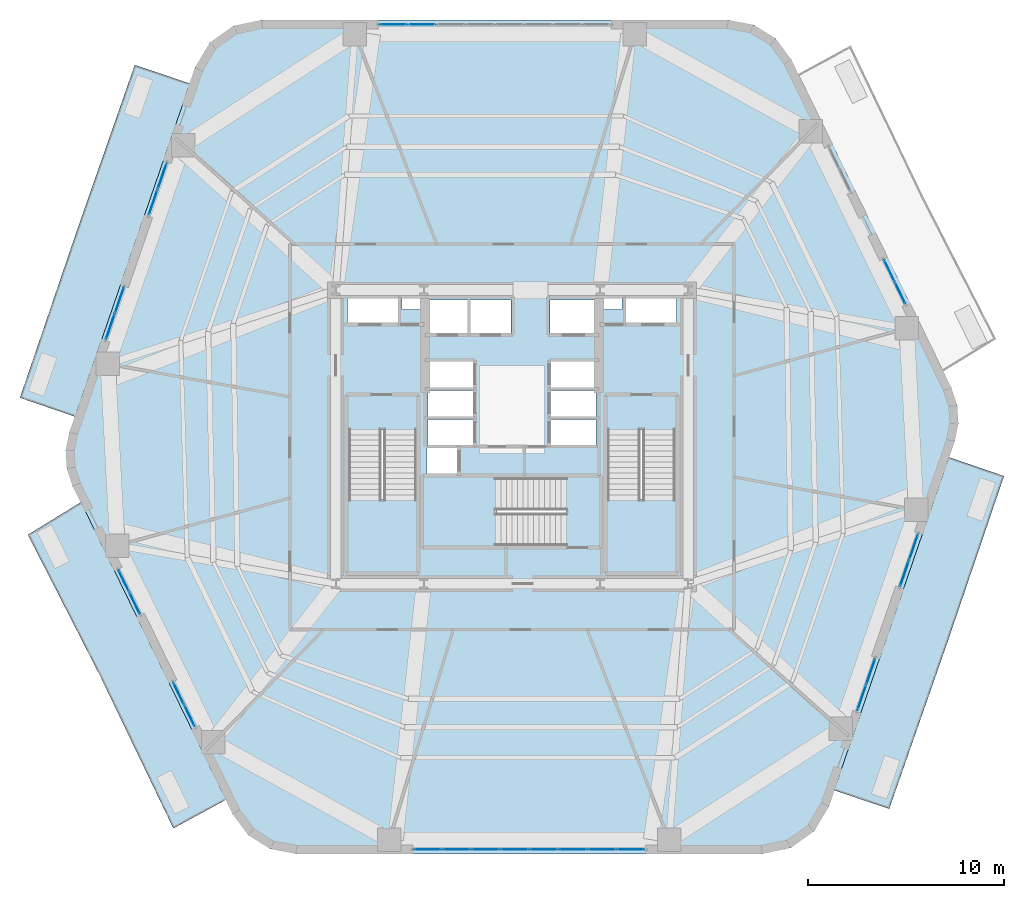
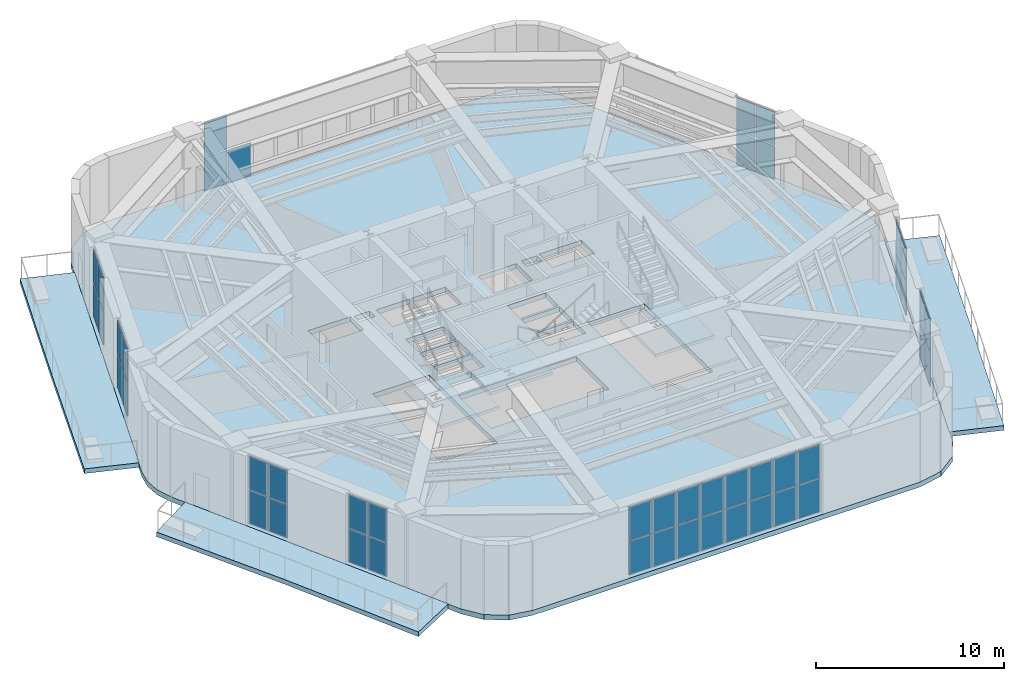
# One storey, part 15 of 22: 47 plates, 7 slabs, 12 elements without a shape of their own.
"""IFC4 building model written with IfcOpenShell, lengths in metres."""

from ifc_helpers import new_model, si_unit, direction, frame, origin, origin_2d, place, context, subcontext, project, spatial, polyline, rectangle, outline, extrude, material, layer, layer_set, type_object, element, aggregate, save


model = new_model("IFC4")

# Units and contexts
model_context = context("Model", 3, precision=1e-05, world=origin(), true_north=direction((0.0, 1.0)))
body_context = subcontext(model_context, "Body", "Model", "MODEL_VIEW")
ifc_project = project(units=[si_unit("LENGTHUNIT", "METRE"), si_unit("AREAUNIT", "SQUARE_METRE"), si_unit("VOLUMEUNIT", "CUBIC_METRE"), si_unit("PLANEANGLEUNIT", "RADIAN"), si_unit("MASSUNIT", "GRAM", prefix="KILO")], contexts=[model_context])

# Site, building, storey
site_placement = place(None, origin())
site = spatial("IfcSite", under=ifc_project, at=site_placement, CompositionType="ELEMENT")
building_placement = place(site_placement, origin())
building = spatial("IfcBuilding", under=site, at=building_placement, Name="Kilnhurst Terrace Hotel", CompositionType="ELEMENT")
storey_placement = place(building_placement, frame((0.0, 0.0, 139.5)))
storey = spatial("IfcBuildingStorey", under=building, at=storey_placement, Name="L34", CompositionType="ELEMENT", Elevation=139.5)

# Curtain wall, plates
ifc_material_1 = material(Name="Anodized Aluminium Alloy 6063-T6 and Low-E Glass", Category="aluminium")
ifc_layer_1 = layer(ifc_material_1, 0.219970703125, Name="Anodized Aluminium Alloy 6063-T6 and Low-E Glass")
ifc_layer_set_1 = layer_set([ifc_layer_1], Name="Anodized Aluminium Alloy 6063-T6 and Low-E Glass")
curtain_wall_type = type_object("IfcCurtainWallType", Name="CW-SKY-L34", PredefinedType="NOTDEFINED", material=ifc_layer_set_1)
curtain_wall_1_placement = place(storey_placement, origin())
curtain_wall_1 = element("IfcCurtainWall", 1, at=curtain_wall_1_placement, inside=storey, type_object=curtain_wall_type, Name="L34 Curtain Wall CW-L34-F1-1", PredefinedType="NOTDEFINED")
ifc_material_2 = material(Name="Triple Laminated Low-E Hurricane Insulated Glass", Category="glass")
ifc_layer_2 = layer(ifc_material_2, 0.035888671875, Name="Triple Laminated Low-E Hurricane Insulated Glass")
ifc_layer_set_2 = layer_set([ifc_layer_2], Name="Triple Laminated Low-E Hurricane Insulated Glass")
plate_type = type_object("IfcPlateType", Name="PNL-GLZ-36", PredefinedType="CURTAIN_PANEL", material=ifc_layer_set_2)
plate_1_placement = place(storey_placement, frame((-4.303955078125, -21.074951171875, 0.070068359375), z_axis=(0.0, 0.0, 1.0), x_axis=(1.0, 0.0, 0.0)))
plate_1 = element("IfcPlate", 2, at=plate_1_placement, type_object=plate_type, Name="CWS-3 panel 1.1", PredefinedType="CURTAIN_PANEL", context=body_context, shape_type="SweptSolid", body=[
    extrude(rectangle(XDim=1.373779296875, YDim=0.035888671875, at=origin_2d()), origin(), (0.0, 0.0, 1.0), 2.14501953125),
])
plate_2_placement = place(storey_placement, frame((-4.303955078125, -21.074951171875, 2.284912109375), z_axis=(0.0, 0.0, 1.0), x_axis=(1.0, 0.0, 0.0)))
plate_2 = element("IfcPlate", 3, at=plate_2_placement, type_object=plate_type, Name="CWS-3 panel 1.2", PredefinedType="CURTAIN_PANEL", context=body_context, shape_type="SweptSolid", body=[
    extrude(rectangle(XDim=1.373779296875, YDim=0.035888671875, at=origin_2d()), origin(), (0.0, 0.0, 1.0), 2.14501953125),
])
plate_3_placement = place(storey_placement, frame((-2.83642578125, -21.074951171875, 0.070068359375), z_axis=(0.0, 0.0, 1.0), x_axis=(1.0, 0.0, 0.0)))
plate_3 = element("IfcPlate", 4, at=plate_3_placement, type_object=plate_type, Name="CWS-3 panel 2.1", PredefinedType="CURTAIN_PANEL", context=body_context, shape_type="SweptSolid", body=[
    extrude(rectangle(XDim=1.411376953125, YDim=0.035888671875, at=origin_2d()), origin(), (0.0, 0.0, 1.0), 2.14501953125),
])
plate_4_placement = place(storey_placement, frame((-2.83642578125, -21.074951171875, 2.284912109375), z_axis=(0.0, 0.0, 1.0), x_axis=(1.0, 0.0, 0.0)))
plate_4 = element("IfcPlate", 5, at=plate_4_placement, type_object=plate_type, Name="CWS-3 panel 2.2", PredefinedType="CURTAIN_PANEL", context=body_context, shape_type="SweptSolid", body=[
    extrude(rectangle(XDim=1.411376953125, YDim=0.035888671875, at=origin_2d()), origin(), (0.0, 0.0, 1.0), 2.14501953125),
])
plate_5_placement = place(storey_placement, frame((-1.35009765625, -21.074951171875, 0.070068359375), z_axis=(0.0, 0.0, 1.0), x_axis=(1.0, 0.0, 0.0)))
plate_5 = element("IfcPlate", 6, at=plate_5_placement, type_object=plate_type, Name="CWS-3 panel 3.1", PredefinedType="CURTAIN_PANEL", context=body_context, shape_type="SweptSolid", body=[
    extrude(rectangle(XDim=1.411376953125, YDim=0.035888671875, at=origin_2d()), origin(), (0.0, 0.0, 1.0), 2.14501953125),
])
plate_6_placement = place(storey_placement, frame((-1.35009765625, -21.074951171875, 2.284912109375), z_axis=(0.0, 0.0, 1.0), x_axis=(1.0, 0.0, 0.0)))
plate_6 = element("IfcPlate", 7, at=plate_6_placement, type_object=plate_type, Name="CWS-3 panel 3.2", PredefinedType="CURTAIN_PANEL", context=body_context, shape_type="SweptSolid", body=[
    extrude(rectangle(XDim=1.411376953125, YDim=0.035888671875, at=origin_2d()), origin(), (0.0, 0.0, 1.0), 2.14501953125),
])
plate_7_placement = place(storey_placement, frame((0.13623046875, -21.074951171875, 0.070068359375), z_axis=(0.0, 0.0, 1.0), x_axis=(1.0, 0.0, 0.0)))
plate_7 = element("IfcPlate", 8, at=plate_7_placement, type_object=plate_type, Name="CWS-3 panel 4.1", PredefinedType="CURTAIN_PANEL", context=body_context, shape_type="SweptSolid", body=[
    extrude(rectangle(XDim=1.411376953125, YDim=0.035888671875, at=origin_2d()), origin(), (0.0, 0.0, 1.0), 2.14501953125),
])
plate_8_placement = place(storey_placement, frame((0.13623046875, -21.074951171875, 2.284912109375), z_axis=(0.0, 0.0, 1.0), x_axis=(1.0, 0.0, 0.0)))
plate_8 = element("IfcPlate", 9, at=plate_8_placement, type_object=plate_type, Name="CWS-3 panel 4.2", PredefinedType="CURTAIN_PANEL", context=body_context, shape_type="SweptSolid", body=[
    extrude(rectangle(XDim=1.411376953125, YDim=0.035888671875, at=origin_2d()), origin(), (0.0, 0.0, 1.0), 2.14501953125),
])
plate_9_placement = place(storey_placement, frame((1.622802734375, -21.074951171875, 0.070068359375), z_axis=(0.0, 0.0, 1.0), x_axis=(1.0, 0.0, 0.0)))
plate_9 = element("IfcPlate", 10, at=plate_9_placement, type_object=plate_type, Name="CWS-3 panel 5.1", PredefinedType="CURTAIN_PANEL", context=body_context, shape_type="SweptSolid", body=[
    extrude(rectangle(XDim=1.411376953125, YDim=0.035888671875, at=origin_2d()), origin(), (0.0, 0.0, 1.0), 2.14501953125),
])
plate_10_placement = place(storey_placement, frame((1.622802734375, -21.074951171875, 2.284912109375), z_axis=(0.0, 0.0, 1.0), x_axis=(1.0, 0.0, 0.0)))
plate_10 = element("IfcPlate", 11, at=plate_10_placement, type_object=plate_type, Name="CWS-3 panel 5.2", PredefinedType="CURTAIN_PANEL", context=body_context, shape_type="SweptSolid", body=[
    extrude(rectangle(XDim=1.411376953125, YDim=0.035888671875, at=origin_2d()), origin(), (0.0, 0.0, 1.0), 2.14501953125),
])
plate_11_placement = place(storey_placement, frame((3.109130859375, -21.074951171875, 0.070068359375), z_axis=(0.0, 0.0, 1.0), x_axis=(1.0, 0.0, 0.0)))
plate_11 = element("IfcPlate", 12, at=plate_11_placement, type_object=plate_type, Name="CWS-3 panel 6.1", PredefinedType="CURTAIN_PANEL", context=body_context, shape_type="SweptSolid", body=[
    extrude(rectangle(XDim=1.411376953125, YDim=0.035888671875, at=origin_2d()), origin(), (0.0, 0.0, 1.0), 2.14501953125),
])
plate_12_placement = place(storey_placement, frame((3.109130859375, -21.074951171875, 2.284912109375), z_axis=(0.0, 0.0, 1.0), x_axis=(1.0, 0.0, 0.0)))
plate_12 = element("IfcPlate", 13, at=plate_12_placement, type_object=plate_type, Name="CWS-3 panel 6.2", PredefinedType="CURTAIN_PANEL", context=body_context, shape_type="SweptSolid", body=[
    extrude(rectangle(XDim=1.411376953125, YDim=0.035888671875, at=origin_2d()), origin(), (0.0, 0.0, 1.0), 2.14501953125),
])
plate_13_placement = place(storey_placement, frame((4.595458984375, -21.074951171875, 0.070068359375), z_axis=(0.0, 0.0, 1.0), x_axis=(1.0, 0.0, 0.0)))
plate_13 = element("IfcPlate", 14, at=plate_13_placement, type_object=plate_type, Name="CWS-3 panel 7.1", PredefinedType="CURTAIN_PANEL", context=body_context, shape_type="SweptSolid", body=[
    extrude(rectangle(XDim=1.411376953125, YDim=0.035888671875, at=origin_2d()), origin(), (0.0, 0.0, 1.0), 2.14501953125),
])
plate_14_placement = place(storey_placement, frame((4.595458984375, -21.074951171875, 2.284912109375), z_axis=(0.0, 0.0, 1.0), x_axis=(1.0, 0.0, 0.0)))
plate_14 = element("IfcPlate", 15, at=plate_14_placement, type_object=plate_type, Name="CWS-3 panel 7.2", PredefinedType="CURTAIN_PANEL", context=body_context, shape_type="SweptSolid", body=[
    extrude(rectangle(XDim=1.411376953125, YDim=0.035888671875, at=origin_2d()), origin(), (0.0, 0.0, 1.0), 2.14501953125),
])
plate_15_placement = place(storey_placement, frame((6.06298828125, -21.074951171875, 0.070068359375), z_axis=(0.0, 0.0, 1.0), x_axis=(1.0, 0.0, 0.0)))
plate_15 = element("IfcPlate", 16, at=plate_15_placement, type_object=plate_type, Name="CWS-3 panel 8.1", PredefinedType="CURTAIN_PANEL", context=body_context, shape_type="SweptSolid", body=[
    extrude(rectangle(XDim=1.373779296875, YDim=0.035888671875, at=origin_2d()), origin(), (0.0, 0.0, 1.0), 2.14501953125),
])
plate_16_placement = place(storey_placement, frame((6.06298828125, -21.074951171875, 2.284912109375), z_axis=(0.0, 0.0, 1.0), x_axis=(1.0, 0.0, 0.0)))
plate_16 = element("IfcPlate", 17, at=plate_16_placement, type_object=plate_type, Name="CWS-3 panel 8.2", PredefinedType="CURTAIN_PANEL", context=body_context, shape_type="SweptSolid", body=[
    extrude(rectangle(XDim=1.373779296875, YDim=0.035888671875, at=origin_2d()), origin(), (0.0, 0.0, 1.0), 2.14501953125),
])
aggregate(curtain_wall_1, [plate_1, plate_2, plate_3, plate_4, plate_5, plate_6, plate_7, plate_8, plate_9, plate_10, plate_11, plate_12, plate_13, plate_14, plate_15, plate_16])

curtain_wall_2_placement = place(storey_placement, origin())
curtain_wall_2 = element("IfcCurtainWall", 18, at=curtain_wall_2_placement, inside=storey, type_object=curtain_wall_type, Name="L34 Curtain Wall CW-L34-F2-1", PredefinedType="NOTDEFINED")
plate_17_placement = place(storey_placement, frame((17.86962890625, -13.326171875, 0.070068359375), z_axis=(0.0, 0.0, 1.0), x_axis=(0.32558742924, 0.94551193854, 0.0)))
plate_17 = element("IfcPlate", 19, at=plate_17_placement, type_object=plate_type, Name="CWS-3 panel 1.1", PredefinedType="CURTAIN_PANEL", context=body_context, shape_type="SweptSolid", body=[
    extrude(rectangle(XDim=1.343505859375, YDim=0.035888671875, at=origin_2d()), origin(), (0.0, 0.0, 1.0), 2.14501953125),
])
plate_18_placement = place(storey_placement, frame((17.86962890625, -13.326171875, 2.284912109375), z_axis=(0.0, 0.0, 1.0), x_axis=(0.32558742924, 0.94551193854, 0.0)))
plate_18 = element("IfcPlate", 20, at=plate_18_placement, type_object=plate_type, Name="CWS-3 panel 1.2", PredefinedType="CURTAIN_PANEL", context=body_context, shape_type="SweptSolid", body=[
    extrude(rectangle(XDim=1.343505859375, YDim=0.035888671875, at=origin_2d()), origin(), (0.0, 0.0, 1.0), 2.14501953125),
])
plate_19_placement = place(storey_placement, frame((18.331298828125, -11.985107421875, 0.070068359375), z_axis=(0.0, 0.0, 1.0), x_axis=(0.32558742924, 0.94551193854, 0.0)))
plate_19 = element("IfcPlate", 21, at=plate_19_placement, type_object=plate_type, Name="CWS-3 panel 2.1", PredefinedType="CURTAIN_PANEL", context=body_context, shape_type="SweptSolid", body=[
    extrude(rectangle(XDim=1.343505859375, YDim=0.035888671875, at=origin_2d()), origin(), (0.0, 0.0, 1.0), 2.14501953125),
])
plate_20_placement = place(storey_placement, frame((18.331298828125, -11.985107421875, 2.284912109375), z_axis=(0.0, 0.0, 1.0), x_axis=(0.32558742924, 0.94551193854, 0.0)))
plate_20 = element("IfcPlate", 22, at=plate_20_placement, type_object=plate_type, Name="CWS-3 panel 2.2", PredefinedType="CURTAIN_PANEL", context=body_context, shape_type="SweptSolid", body=[
    extrude(rectangle(XDim=1.343505859375, YDim=0.035888671875, at=origin_2d()), origin(), (0.0, 0.0, 1.0), 2.14501953125),
])
aggregate(curtain_wall_2, [plate_17, plate_18, plate_19, plate_20])

curtain_wall_3_placement = place(storey_placement, origin())
curtain_wall_3 = element("IfcCurtainWall", 23, at=curtain_wall_3_placement, inside=storey, type_object=curtain_wall_type, Name="L34 Curtain Wall CW-L34-F2-2", PredefinedType="NOTDEFINED")
plate_21_placement = place(storey_placement, frame((20.054931640625, -6.97998046875, 0.070068359375), z_axis=(0.0, 0.0, 1.0), x_axis=(0.32558742924, 0.94551193854, 0.0)))
plate_21 = element("IfcPlate", 24, at=plate_21_placement, type_object=plate_type, Name="CWS-3 panel 1.1", PredefinedType="CURTAIN_PANEL", context=body_context, shape_type="SweptSolid", body=[
    extrude(rectangle(XDim=1.343505859375, YDim=0.035888671875, at=origin_2d()), origin(), (0.0, 0.0, 1.0), 2.14501953125),
])
plate_22_placement = place(storey_placement, frame((20.054931640625, -6.97998046875, 2.284912109375), z_axis=(0.0, 0.0, 1.0), x_axis=(0.32558742924, 0.94551193854, 0.0)))
plate_22 = element("IfcPlate", 25, at=plate_22_placement, type_object=plate_type, Name="CWS-3 panel 1.2", PredefinedType="CURTAIN_PANEL", context=body_context, shape_type="SweptSolid", body=[
    extrude(rectangle(XDim=1.343505859375, YDim=0.035888671875, at=origin_2d()), origin(), (0.0, 0.0, 1.0), 2.14501953125),
])
plate_23_placement = place(storey_placement, frame((20.516845703125, -5.638916015625, 0.070068359375), z_axis=(0.0, 0.0, 1.0), x_axis=(0.32558742924, 0.94551193854, 0.0)))
plate_23 = element("IfcPlate", 26, at=plate_23_placement, type_object=plate_type, Name="CWS-3 panel 2.1", PredefinedType="CURTAIN_PANEL", context=body_context, shape_type="SweptSolid", body=[
    extrude(rectangle(XDim=1.343505859375, YDim=0.035888671875, at=origin_2d()), origin(), (0.0, 0.0, 1.0), 2.14501953125),
])
plate_24_placement = place(storey_placement, frame((20.516845703125, -5.638916015625, 2.284912109375), z_axis=(0.0, 0.0, 1.0), x_axis=(0.32558742924, 0.94551193854, 0.0)))
plate_24 = element("IfcPlate", 27, at=plate_24_placement, type_object=plate_type, Name="CWS-3 panel 2.2", PredefinedType="CURTAIN_PANEL", context=body_context, shape_type="SweptSolid", body=[
    extrude(rectangle(XDim=1.343505859375, YDim=0.035888671875, at=origin_2d()), origin(), (0.0, 0.0, 1.0), 2.14501953125),
])
aggregate(curtain_wall_3, [plate_21, plate_22, plate_23, plate_24])

curtain_wall_4_placement = place(storey_placement, origin())
curtain_wall_4 = element("IfcCurtainWall", 28, at=curtain_wall_4_placement, inside=storey, type_object=curtain_wall_type, Name="L34 Curtain Wall CW-L34-F3-1", PredefinedType="NOTDEFINED")
plate_25_placement = place(storey_placement, frame((19.833740234375, 7.355224609375, 0.070068359375), z_axis=(0.0, 0.0, 1.0), x_axis=(-0.438409211982, 0.898775479666, 0.0)))
plate_25 = element("IfcPlate", 29, at=plate_25_placement, type_object=plate_type, Name="CWS-3 panel 1.1", PredefinedType="CURTAIN_PANEL", context=body_context, shape_type="SweptSolid", body=[
    extrude(rectangle(XDim=1.185546875, YDim=0.035888671875, at=origin_2d()), origin(), (0.0, 0.0, 1.0), 2.14501953125),
])
plate_26_placement = place(storey_placement, frame((19.833740234375, 7.355224609375, 2.284912109375), z_axis=(0.0, 0.0, 1.0), x_axis=(-0.438409211982, 0.898775479666, 0.0)))
plate_26 = element("IfcPlate", 30, at=plate_26_placement, type_object=plate_type, Name="CWS-3 panel 1.2", PredefinedType="CURTAIN_PANEL", context=body_context, shape_type="SweptSolid", body=[
    extrude(rectangle(XDim=1.185546875, YDim=0.035888671875, at=origin_2d()), origin(), (0.0, 0.0, 1.0), 2.14501953125),
])
plate_27_placement = place(storey_placement, frame((19.281005859375, 8.488037109375, 0.070068359375), z_axis=(0.0, 0.0, 1.0), x_axis=(-0.438409211982, 0.898775479666, 0.0)))
plate_27 = element("IfcPlate", 31, at=plate_27_placement, type_object=plate_type, Name="CWS-3 panel 2.1", PredefinedType="CURTAIN_PANEL", context=body_context, shape_type="SweptSolid", body=[
    extrude(rectangle(XDim=1.185546875, YDim=0.035888671875, at=origin_2d()), origin(), (0.0, 0.0, 1.0), 2.14501953125),
])
plate_28_placement = place(storey_placement, frame((19.281005859375, 8.488037109375, 2.284912109375), z_axis=(0.0, 0.0, 1.0), x_axis=(-0.438409211982, 0.898775479666, 0.0)))
plate_28 = element("IfcPlate", 32, at=plate_28_placement, type_object=plate_type, Name="CWS-3 panel 2.2", PredefinedType="CURTAIN_PANEL", context=body_context, shape_type="SweptSolid", body=[
    extrude(rectangle(XDim=1.185546875, YDim=0.035888671875, at=origin_2d()), origin(), (0.0, 0.0, 1.0), 2.14501953125),
])
aggregate(curtain_wall_4, [plate_25, plate_26, plate_27, plate_28])

curtain_wall_5_placement = place(storey_placement, origin())
curtain_wall_5 = element("IfcCurtainWall", 33, at=curtain_wall_5_placement, inside=storey, type_object=curtain_wall_type, Name="L34 Curtain Wall CW-L34-F4-1", PredefinedType="NOTDEFINED")
plate_29_placement = place(storey_placement, frame((-4.595458984375, 21.074951171875, 0.070068359375), z_axis=(0.0, 0.0, 1.0), x_axis=(-1.0, 0.0, 0.0)))
plate_29 = element("IfcPlate", 34, at=plate_29_placement, type_object=plate_type, Name="CWS-3 panel 7.1", PredefinedType="CURTAIN_PANEL", context=body_context, shape_type="SweptSolid", body=[
    extrude(rectangle(XDim=1.411376953125, YDim=0.035888671875, at=origin_2d()), origin(), (0.0, 0.0, 1.0), 2.14501953125),
])
plate_30_placement = place(storey_placement, frame((-6.06298828125, 21.074951171875, 0.070068359375), z_axis=(0.0, 0.0, 1.0), x_axis=(-1.0, 0.0, 0.0)))
plate_30 = element("IfcPlate", 35, at=plate_30_placement, type_object=plate_type, Name="CWS-3 panel 8.1", PredefinedType="CURTAIN_PANEL", context=body_context, shape_type="SweptSolid", body=[
    extrude(rectangle(XDim=1.373779296875, YDim=0.035888671875, at=origin_2d()), origin(), (0.0, 0.0, 1.0), 2.14501953125),
])
plate_31_placement = place(storey_placement, frame((-6.06298828125, 21.074951171875, 2.284912109375), z_axis=(0.0, 0.0, 1.0), x_axis=(-1.0, 0.0, 0.0)))
plate_31 = element("IfcPlate", 36, at=plate_31_placement, type_object=plate_type, Name="CWS-3 panel 8.2", PredefinedType="CURTAIN_PANEL", context=body_context, shape_type="SweptSolid", body=[
    extrude(rectangle(XDim=1.373779296875, YDim=0.035888671875, at=origin_2d()), origin(), (0.0, 0.0, 1.0), 2.14501953125),
])
aggregate(curtain_wall_5, [plate_29, plate_30, plate_31])

curtain_wall_6_placement = place(storey_placement, origin())
curtain_wall_6 = element("IfcCurtainWall", 37, at=curtain_wall_6_placement, inside=storey, type_object=curtain_wall_type, Name="L34 Curtain Wall CW-L34-F5-1", PredefinedType="NOTDEFINED")
plate_32_placement = place(storey_placement, frame((-17.86962890625, 13.326171875, 0.070068359375), z_axis=(0.0, 0.0, 1.0), x_axis=(-0.32558742924, -0.94551193854, 0.0)))
plate_32 = element("IfcPlate", 38, at=plate_32_placement, type_object=plate_type, Name="CWS-3 panel 1.1", PredefinedType="CURTAIN_PANEL", context=body_context, shape_type="SweptSolid", body=[
    extrude(rectangle(XDim=1.343505859375, YDim=0.035888671875, at=origin_2d()), origin(), (0.0, 0.0, 1.0), 2.14501953125),
])
plate_33_placement = place(storey_placement, frame((-17.86962890625, 13.326171875, 2.284912109375), z_axis=(0.0, 0.0, 1.0), x_axis=(-0.32558742924, -0.94551193854, 0.0)))
plate_33 = element("IfcPlate", 39, at=plate_33_placement, type_object=plate_type, Name="CWS-3 panel 1.2", PredefinedType="CURTAIN_PANEL", context=body_context, shape_type="SweptSolid", body=[
    extrude(rectangle(XDim=1.343505859375, YDim=0.035888671875, at=origin_2d()), origin(), (0.0, 0.0, 1.0), 2.14501953125),
])
plate_34_placement = place(storey_placement, frame((-18.331298828125, 11.985107421875, 0.070068359375), z_axis=(0.0, 0.0, 1.0), x_axis=(-0.32558742924, -0.94551193854, 0.0)))
plate_34 = element("IfcPlate", 40, at=plate_34_placement, type_object=plate_type, Name="CWS-3 panel 2.1", PredefinedType="CURTAIN_PANEL", context=body_context, shape_type="SweptSolid", body=[
    extrude(rectangle(XDim=1.343505859375, YDim=0.035888671875, at=origin_2d()), origin(), (0.0, 0.0, 1.0), 2.14501953125),
])
plate_35_placement = place(storey_placement, frame((-18.331298828125, 11.985107421875, 2.284912109375), z_axis=(0.0, 0.0, 1.0), x_axis=(-0.32558742924, -0.94551193854, 0.0)))
plate_35 = element("IfcPlate", 41, at=plate_35_placement, type_object=plate_type, Name="CWS-3 panel 2.2", PredefinedType="CURTAIN_PANEL", context=body_context, shape_type="SweptSolid", body=[
    extrude(rectangle(XDim=1.343505859375, YDim=0.035888671875, at=origin_2d()), origin(), (0.0, 0.0, 1.0), 2.14501953125),
])
aggregate(curtain_wall_6, [plate_32, plate_33, plate_34, plate_35])

curtain_wall_7_placement = place(storey_placement, origin())
curtain_wall_7 = element("IfcCurtainWall", 42, at=curtain_wall_7_placement, inside=storey, type_object=curtain_wall_type, Name="L34 Curtain Wall CW-L34-F5-2", PredefinedType="NOTDEFINED")
plate_36_placement = place(storey_placement, frame((-20.054931640625, 6.97998046875, 0.070068359375), z_axis=(0.0, 0.0, 1.0), x_axis=(-0.32558742924, -0.94551193854, 0.0)))
plate_36 = element("IfcPlate", 43, at=plate_36_placement, type_object=plate_type, Name="CWS-3 panel 1.1", PredefinedType="CURTAIN_PANEL", context=body_context, shape_type="SweptSolid", body=[
    extrude(rectangle(XDim=1.343505859375, YDim=0.035888671875, at=origin_2d()), origin(), (0.0, 0.0, 1.0), 2.14501953125),
])
plate_37_placement = place(storey_placement, frame((-20.054931640625, 6.97998046875, 2.284912109375), z_axis=(0.0, 0.0, 1.0), x_axis=(-0.32558742924, -0.94551193854, 0.0)))
plate_37 = element("IfcPlate", 44, at=plate_37_placement, type_object=plate_type, Name="CWS-3 panel 1.2", PredefinedType="CURTAIN_PANEL", context=body_context, shape_type="SweptSolid", body=[
    extrude(rectangle(XDim=1.343505859375, YDim=0.035888671875, at=origin_2d()), origin(), (0.0, 0.0, 1.0), 2.14501953125),
])
plate_38_placement = place(storey_placement, frame((-20.516845703125, 5.638916015625, 0.070068359375), z_axis=(0.0, 0.0, 1.0), x_axis=(-0.32558742924, -0.94551193854, 0.0)))
plate_38 = element("IfcPlate", 45, at=plate_38_placement, type_object=plate_type, Name="CWS-3 panel 2.1", PredefinedType="CURTAIN_PANEL", context=body_context, shape_type="SweptSolid", body=[
    extrude(rectangle(XDim=1.343505859375, YDim=0.035888671875, at=origin_2d()), origin(), (0.0, 0.0, 1.0), 2.14501953125),
])
plate_39_placement = place(storey_placement, frame((-20.516845703125, 5.638916015625, 2.284912109375), z_axis=(0.0, 0.0, 1.0), x_axis=(-0.32558742924, -0.94551193854, 0.0)))
plate_39 = element("IfcPlate", 46, at=plate_39_placement, type_object=plate_type, Name="CWS-3 panel 2.2", PredefinedType="CURTAIN_PANEL", context=body_context, shape_type="SweptSolid", body=[
    extrude(rectangle(XDim=1.343505859375, YDim=0.035888671875, at=origin_2d()), origin(), (0.0, 0.0, 1.0), 2.14501953125),
])
aggregate(curtain_wall_7, [plate_36, plate_37, plate_38, plate_39])

curtain_wall_8_placement = place(storey_placement, origin())
curtain_wall_8 = element("IfcCurtainWall", 47, at=curtain_wall_8_placement, inside=storey, type_object=curtain_wall_type, Name="L34 Curtain Wall CW-L34-F6-1", PredefinedType="NOTDEFINED")
plate_40_placement = place(storey_placement, frame((-19.833740234375, -7.355224609375, 0.070068359375), z_axis=(0.0, 0.0, 1.0), x_axis=(0.438409211982, -0.898775479666, 0.0)))
plate_40 = element("IfcPlate", 48, at=plate_40_placement, type_object=plate_type, Name="CWS-3 panel 1.1", PredefinedType="CURTAIN_PANEL", context=body_context, shape_type="SweptSolid", body=[
    extrude(rectangle(XDim=1.185546875, YDim=0.035888671875, at=origin_2d()), origin(), (0.0, 0.0, 1.0), 2.14501953125),
])
plate_41_placement = place(storey_placement, frame((-19.833740234375, -7.355224609375, 2.284912109375), z_axis=(0.0, 0.0, 1.0), x_axis=(0.438409211982, -0.898775479666, 0.0)))
plate_41 = element("IfcPlate", 49, at=plate_41_placement, type_object=plate_type, Name="CWS-3 panel 1.2", PredefinedType="CURTAIN_PANEL", context=body_context, shape_type="SweptSolid", body=[
    extrude(rectangle(XDim=1.185546875, YDim=0.035888671875, at=origin_2d()), origin(), (0.0, 0.0, 1.0), 2.14501953125),
])
plate_42_placement = place(storey_placement, frame((-19.281005859375, -8.488037109375, 0.070068359375), z_axis=(0.0, 0.0, 1.0), x_axis=(0.438409211982, -0.898775479666, 0.0)))
plate_42 = element("IfcPlate", 50, at=plate_42_placement, type_object=plate_type, Name="CWS-3 panel 2.1", PredefinedType="CURTAIN_PANEL", context=body_context, shape_type="SweptSolid", body=[
    extrude(rectangle(XDim=1.185546875, YDim=0.035888671875, at=origin_2d()), origin(), (0.0, 0.0, 1.0), 2.14501953125),
])
plate_43_placement = place(storey_placement, frame((-19.281005859375, -8.488037109375, 2.284912109375), z_axis=(0.0, 0.0, 1.0), x_axis=(0.438409211982, -0.898775479666, 0.0)))
plate_43 = element("IfcPlate", 51, at=plate_43_placement, type_object=plate_type, Name="CWS-3 panel 2.2", PredefinedType="CURTAIN_PANEL", context=body_context, shape_type="SweptSolid", body=[
    extrude(rectangle(XDim=1.185546875, YDim=0.035888671875, at=origin_2d()), origin(), (0.0, 0.0, 1.0), 2.14501953125),
])
aggregate(curtain_wall_8, [plate_40, plate_41, plate_42, plate_43])

curtain_wall_9_placement = place(storey_placement, origin())
curtain_wall_9 = element("IfcCurtainWall", 52, at=curtain_wall_9_placement, inside=storey, type_object=curtain_wall_type, Name="L34 Curtain Wall CW-L34-F6-2", PredefinedType="NOTDEFINED")
plate_44_placement = place(storey_placement, frame((-17.029296875, -13.104736328125, 0.070068359375), z_axis=(0.0, 0.0, 1.0), x_axis=(0.438362916395, -0.898798060484, 0.0)))
plate_44 = element("IfcPlate", 53, at=plate_44_placement, type_object=plate_type, Name="CWS-3 panel 1.1", PredefinedType="CURTAIN_PANEL", context=body_context, shape_type="SweptSolid", body=[
    extrude(rectangle(XDim=1.185546875, YDim=0.035888671875, at=origin_2d()), origin(), (0.0, 0.0, 1.0), 2.14501953125),
])
plate_45_placement = place(storey_placement, frame((-17.029296875, -13.104736328125, 2.284912109375), z_axis=(0.0, 0.0, 1.0), x_axis=(0.438362916395, -0.898798060484, 0.0)))
plate_45 = element("IfcPlate", 54, at=plate_45_placement, type_object=plate_type, Name="CWS-3 panel 1.2", PredefinedType="CURTAIN_PANEL", context=body_context, shape_type="SweptSolid", body=[
    extrude(rectangle(XDim=1.185546875, YDim=0.035888671875, at=origin_2d()), origin(), (0.0, 0.0, 1.0), 2.14501953125),
])
plate_46_placement = place(storey_placement, frame((-16.476806640625, -14.237548828125, 0.070068359375), z_axis=(0.0, 0.0, 1.0), x_axis=(0.438362916395, -0.898798060484, 0.0)))
plate_46 = element("IfcPlate", 55, at=plate_46_placement, type_object=plate_type, Name="CWS-3 panel 2.1", PredefinedType="CURTAIN_PANEL", context=body_context, shape_type="SweptSolid", body=[
    extrude(rectangle(XDim=1.185546875, YDim=0.035888671875, at=origin_2d()), origin(), (0.0, 0.0, 1.0), 2.14501953125),
])
plate_47_placement = place(storey_placement, frame((-16.476806640625, -14.237548828125, 2.284912109375), z_axis=(0.0, 0.0, 1.0), x_axis=(0.438362916395, -0.898798060484, 0.0)))
plate_47 = element("IfcPlate", 56, at=plate_47_placement, type_object=plate_type, Name="CWS-3 panel 2.2", PredefinedType="CURTAIN_PANEL", context=body_context, shape_type="SweptSolid", body=[
    extrude(rectangle(XDim=1.185546875, YDim=0.035888671875, at=origin_2d()), origin(), (0.0, 0.0, 1.0), 2.14501953125),
])
aggregate(curtain_wall_9, [plate_44, plate_45, plate_46, plate_47])

# Slabs
ifc_material_3 = material(Name="Concrete C50/60", Category="concrete")
ifc_layer_3 = layer(ifc_material_3, 0.300048828125, Name="Concrete C50/60")
ifc_layer_set_3 = layer_set([ifc_layer_3], Name="Concrete C50/60")
slab_type_1 = type_object("IfcSlabType", Name="SLB-BAL-300", PredefinedType="FLOOR", material=ifc_layer_set_3)
slab_1_placement = place(storey_placement, frame((0.0, 0.0, -0.300048828125)))
element("IfcSlab", 57, at=slab_1_placement, inside=storey, type_object=slab_type_1, Name="L34 Cantilevered Planted Terrace Slab BAL-L1A", PredefinedType="FLOOR", context=body_context, shape_type="SweptSolid", body=[
    extrude(outline(polyline([(22.233154296875, -10.52880859375), (19.273193359375, -19.0), (16.45751953125, -18.05615234375), (22.319091796875, -1.03466796875), (25.13623046875, -2.0), (22.233154296875, -10.52880859375)])), origin(), (0.0, 0.0, 1.0), 0.300048828125),
])
slab_2_placement = place(storey_placement, frame((0.0, 0.0, -0.300048828125)))
element("IfcSlab", 58, at=slab_2_placement, inside=storey, type_object=slab_type_1, Name="L34 Cantilevered Planted Terrace Slab BAL-L2A", PredefinedType="FLOOR", context=body_context, shape_type="SweptSolid", body=[
    extrude(outline(polyline([(-19.273193359375, 19.0), (-16.45751953125, 18.05615234375), (-22.319091796875, 1.03466796875), (-25.13623046875, 2.0), (-22.233154296875, 10.52880859375), (-19.273193359375, 19.0)])), origin(), (0.0, 0.0, 1.0), 0.300048828125),
])
slab_3_placement = place(storey_placement, frame((0.0, 0.0, -0.300048828125)))
element("IfcSlab", 59, at=slab_3_placement, inside=storey, type_object=slab_type_1, Name="L34 Cantilevered Planted Terrace Slab BAL-L2B", PredefinedType="FLOOR", context=body_context, shape_type="SweptSolid", body=[
    extrude(outline(polyline([(-24.734130859375, -5.0), (-22.023193359375, -3.333740234375), (-14.6083984375, -18.53564453125), (-17.301513671875, -20.0), (-21.044921875, -12.205810546875), (-24.734130859375, -5.0)])), origin(), (0.0, 0.0, 1.0), 0.300048828125),
])
ifc_layer_4 = layer(ifc_material_3, 0.320068359375, Name="Concrete C50/60")
ifc_layer_set_4 = layer_set([ifc_layer_4], Name="Concrete C50/60")
slab_type_2 = type_object("IfcSlabType", Name="SLB-FLR-320", PredefinedType="FLOOR", material=ifc_layer_set_4)
slab_4_placement = place(storey_placement, frame((0.0, 0.0, -0.320068359375)))
element("IfcSlab", 60, at=slab_4_placement, inside=storey, type_object=slab_type_2, Name="L34 Structural Floor Slab", PredefinedType="FLOOR", context=body_context, shape_type="SweptSolid", body=[
    extrude(outline(polyline([(-14.2685546875, -19.2783203125), (-13.472900390625, -20.34716796875), (-12.342529296875, -21.05322265625), (-11.032958984375, -21.300048828125), (12.793701171875, -21.300048828125), (14.23876953125, -20.997314453125), (15.44091796875, -20.139892578125), (16.197509765625, -18.872314453125), (22.614501953125, -0.238525390625), (22.8017578125, 0.6826171875), (22.744384765625, 1.62060546875), (22.4462890625, 2.51171875), (14.2685546875, 19.2783203125), (13.472900390625, 20.34716796875), (12.342529296875, 21.05322265625), (11.032958984375, 21.300048828125), (-12.793701171875, 21.300048828125), (-14.23876953125, 20.997314453125), (-15.44091796875, 20.139892578125), (-16.197509765625, 18.872314453125), (-22.614501953125, 0.238525390625), (-22.8017578125, -0.6826171875), (-22.744384765625, -1.62060546875), (-22.4462890625, -2.51171875), (-14.2685546875, -19.2783203125)]), holes=[polyline([(-4.8798828125, 0.35498046875), (-4.8798828125, -6.89990234375), (-8.35009765625, -6.89990234375), (-8.35009765625, 0.35498046875), (-4.8798828125, 0.35498046875)]), polyline([(-4.35009765625, -1.89990234375), (-4.35009765625, -0.550048828125), (-2.800048828125, -0.550048828125), (-2.800048828125, -1.89990234375), (-4.35009765625, -1.89990234375)]), polyline([(-4.300048828125, -0.429931640625), (-4.300048828125, 0.89990234375), (-1.949951171875, 0.89990234375), (-1.949951171875, -0.429931640625), (-4.300048828125, -0.429931640625)]), polyline([(-4.300048828125, 1.050048828125), (-4.300048828125, 2.3798828125), (-1.949951171875, 2.3798828125), (-1.949951171875, 1.050048828125), (-4.300048828125, 1.050048828125)]), polyline([(-4.300048828125, 2.530029296875), (-4.300048828125, 3.860107421875), (-1.949951171875, 3.860107421875), (-1.949951171875, 2.530029296875), (-4.300048828125, 2.530029296875)]), polyline([(-4.300048828125, 5.25), (-4.300048828125, 7.0), (-2.25, 7.0), (-2.25, 5.25), (-4.300048828125, 5.25)]), polyline([(-2.1201171875, 5.25), (-2.1201171875, 7.0), (-0.050048828125, 7.0), (-0.050048828125, 5.25), (-2.1201171875, 5.25)]), polyline([(-8.39990234375, 5.75), (-8.39990234375, 7.14990234375), (-5.800048828125, 7.14990234375), (-5.800048828125, 5.75), (-8.39990234375, 5.75)]), polyline([(-5.6201171875, 6.52001953125), (-5.6201171875, 7.080078125), (-4.659912109375, 7.080078125), (-4.659912109375, 6.52001953125), (-5.6201171875, 6.52001953125)]), polyline([(2.7548828125, -5.550048828125), (-4.5, -5.550048828125), (-4.5, -2.080078125), (2.7548828125, -2.080078125), (2.7548828125, -5.550048828125)]), polyline([(8.35009765625, 0.35498046875), (8.35009765625, -6.89990234375), (4.8798828125, -6.89990234375), (4.8798828125, 0.35498046875), (8.35009765625, 0.35498046875)]), polyline([(1.949951171875, -0.429931640625), (1.949951171875, 0.89990234375), (4.300048828125, 0.89990234375), (4.300048828125, -0.429931640625), (1.949951171875, -0.429931640625)]), polyline([(1.949951171875, 1.050048828125), (1.949951171875, 2.3798828125), (4.300048828125, 2.3798828125), (4.300048828125, 1.050048828125), (1.949951171875, 1.050048828125)]), polyline([(1.949951171875, 2.530029296875), (1.949951171875, 3.860107421875), (4.300048828125, 3.860107421875), (4.300048828125, 2.530029296875), (1.949951171875, 2.530029296875)]), polyline([(1.949951171875, 5.25), (1.949951171875, 7.0), (4.300048828125, 7.0), (4.300048828125, 5.25), (1.949951171875, 5.25)]), polyline([(5.800048828125, 7.14990234375), (8.39990234375, 7.14990234375), (8.39990234375, 5.75), (5.800048828125, 5.75), (5.800048828125, 7.14990234375)]), polyline([(4.659912109375, 7.080078125), (5.6201171875, 7.080078125), (5.6201171875, 6.52001953125), (4.659912109375, 6.52001953125), (4.659912109375, 7.080078125)])]), origin(), (0.0, 0.0, 1.0), 0.320068359375),
])

# Stair, slab
stair_type = type_object("IfcStairType", Name="STR-CORE-1660", PredefinedType="HALF_TURN_STAIR", material=ifc_material_3)
stair_1_placement = place(storey_placement, origin())
stair_1 = element("IfcStair", 61, at=stair_1_placement, inside=storey, type_object=stair_type, Name="L34 ST-1", PredefinedType="HALF_TURN_STAIR")
ifc_layer_5 = layer(ifc_material_3, 0.199951171875, Name="Concrete C50/60")
ifc_layer_set_5 = layer_set([ifc_layer_5], Name="Concrete C50/60")
slab_type_3 = type_object("IfcSlabType", Name="SLB-ST-LND-200", PredefinedType="LANDING", material=ifc_layer_set_5)
slab_5_placement = place(storey_placement, frame((0.0, 0.0, 2.199951171875)))
slab_5 = element("IfcSlab", 62, at=slab_5_placement, type_object=slab_type_3, Name="ST-1 landing 1", PredefinedType="LANDING", context=body_context, shape_type="SweptSolid", body=[
    extrude(outline(polyline([(-8.429931640625, -3.169921875), (-4.800048828125, -3.169921875), (-4.800048828125, -6.97998046875), (-8.429931640625, -6.97998046875), (-8.429931640625, -3.169921875)])), origin(), (0.0, 0.0, 1.0), 0.199951171875),
])
aggregate(stair_1, [slab_5])

stair_2_placement = place(storey_placement, origin())
stair_2 = element("IfcStair", 63, at=stair_2_placement, inside=storey, type_object=stair_type, Name="L34 ST-2", PredefinedType="HALF_TURN_STAIR")
slab_6_placement = place(storey_placement, frame((0.0, 0.0, 2.199951171875)))
slab_6 = element("IfcSlab", 64, at=slab_6_placement, type_object=slab_type_3, Name="ST-2 landing 1", PredefinedType="LANDING", context=body_context, shape_type="SweptSolid", body=[
    extrude(outline(polyline([(4.800048828125, -3.169921875), (8.429931640625, -3.169921875), (8.429931640625, -6.97998046875), (4.800048828125, -6.97998046875), (4.800048828125, -3.169921875)])), origin(), (0.0, 0.0, 1.0), 0.199951171875),
])
aggregate(stair_2, [slab_6])

stair_3_placement = place(storey_placement, origin())
stair_3 = element("IfcStair", 65, at=stair_3_placement, inside=storey, type_object=stair_type, Name="L34 ST-3", PredefinedType="HALF_TURN_STAIR")
slab_7_placement = place(storey_placement, frame((0.0, 0.0, 2.199951171875)))
slab_7 = element("IfcSlab", 66, at=slab_7_placement, type_object=slab_type_3, Name="ST-3 landing 1", PredefinedType="LANDING", context=body_context, shape_type="SweptSolid", body=[
    extrude(outline(polyline([(-0.77001953125, -2.0), (-0.77001953125, -5.6298828125), (-4.580078125, -5.6298828125), (-4.580078125, -2.0), (-0.77001953125, -2.0)])), origin(), (0.0, 0.0, 1.0), 0.199951171875),
])
aggregate(stair_3, [slab_7])

save(model, "model.ifc")
